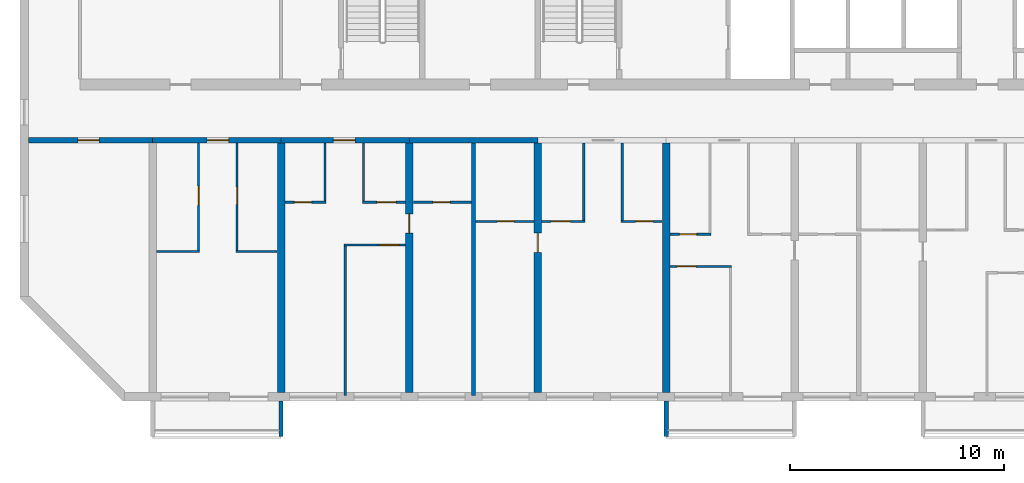
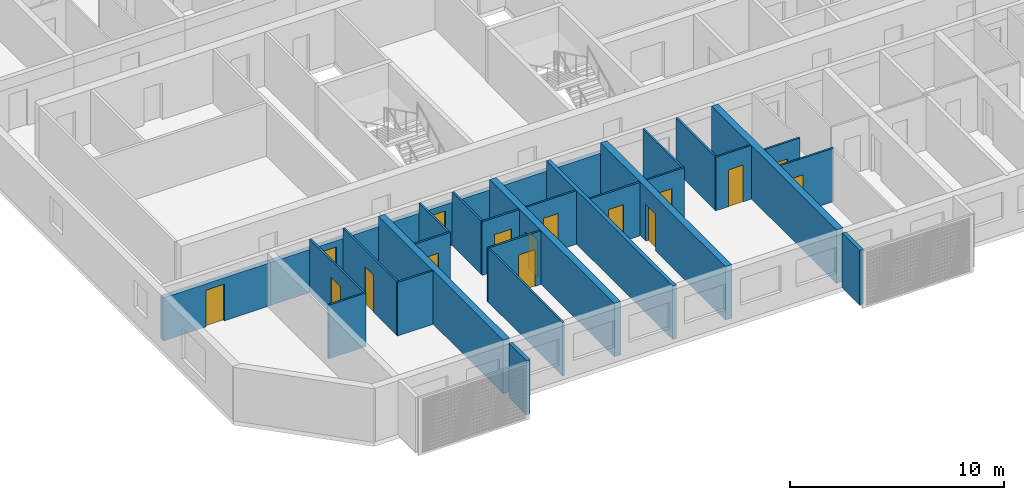
# One storey, part 2 of 26: 29 walls, 16 doors, 16 openings.
"""IFC4 building model written with IfcOpenShell, lengths in metres."""

from ifc_helpers import new_model, si_unit, direction, frame, frame_2d, origin, place, context, subcontext, project, spatial, polyline, rectangle, outline, extrude, source, transform, mapped, material, layer, layer_set, type_object, element, fill, save


model = new_model("IFC4")

# Units and contexts
model_context = context("Model", 3, precision=1e-05, world=origin(), true_north=direction((0.0, 1.0)))
body_context = subcontext(model_context, "Body", "Model", "MODEL_VIEW")
ifc_project = project(units=[si_unit("LENGTHUNIT", "METRE"), si_unit("AREAUNIT", "SQUARE_METRE"), si_unit("VOLUMEUNIT", "CUBIC_METRE"), si_unit("PLANEANGLEUNIT", "RADIAN"), si_unit("MASSUNIT", "GRAM", prefix="KILO")], contexts=[model_context])

# Site, building, storey
site_placement = place(None, origin())
site = spatial("IfcSite", under=ifc_project, at=site_placement, CompositionType="ELEMENT")
building_placement = place(site_placement, origin())
building = spatial("IfcBuilding", under=site, at=building_placement, Name="Poui Terraces", CompositionType="ELEMENT")
storey_placement = place(building_placement, frame((0.0, 0.0, 96.0)))
storey = spatial("IfcBuildingStorey", under=building, at=storey_placement, Name="L26", CompositionType="ELEMENT", Elevation=96.0)

# Wall, opening, door
ifc_material_1 = material(Name="Concrete 65 MPa", Category="concrete")
ifc_layer_1 = layer(ifc_material_1, 0.25)
ifc_layer_set_1 = layer_set([ifc_layer_1], Name="Concrete 65 MPa")
wall_type_1 = type_object("IfcWallType", Name="CORRIDOR WALL 250 65MPa", PredefinedType="SHEAR", material=ifc_layer_set_1)
wall_1_placement = place(storey_placement, frame((6.199951171875, 12.0, 0.0), z_axis=(0.0, 0.0, 1.0), x_axis=(1.0, 0.0, 0.0)))
wall_1 = element("IfcWall", 1, at=wall_1_placement, inside=storey, type_object=wall_type_1, Name="CORRIDOR WALL LINE B BAY 1", PredefinedType="SHEAR", context=body_context, shape_type="SweptSolid", body=[
    extrude(rectangle(XDim=5.800048828125, YDim=0.25, at=frame_2d((2.89990234375, 0.0))), origin(), (0.0, 0.0, 1.0), 2.4599609375),
])
opening_1_placement = place(wall_1_placement, frame((2.300048828125, 0.0, 0.0)))
opening_1 = element("IfcOpeningElement", 2, at=opening_1_placement, cuts=wall_1, Name="Opening D100", PredefinedType="OPENING", context=body_context, shape_type="SweptSolid", body=[
    extrude(rectangle(XDim=1.0, YDim=2.10009765625, at=frame_2d((0.5, 1.050048828125))), frame((0.0, 0.135009765625, 0.0), z_axis=(0.0, -1.0, 0.0), x_axis=(1.0, 0.0, 0.0)), (0.0, 0.0, 1.0), 0.27001953125),
])
ifc_material_2 = material(Name="Solid core timber door", Category="wood")
door_type_1 = type_object("IfcDoorType", Name="ACCESSIBLE INTERNAL DOOR 1000 X 2100", OperationType="NOTDEFINED", PredefinedType="DOOR", material=ifc_material_2)
door_1_placement = place(opening_1_placement, frame((1.0, 0.0, 0.0), z_axis=(0.0, 0.0, 1.0), x_axis=(-1.0, 0.0, 0.0)))
door_1 = element("IfcDoor", 3, at=door_1_placement, inside=storey, type_object=door_type_1, Name="ACCESSIBLE INTERNAL DOOR 083", OperationType="SINGLE_SWING_RIGHT", OverallHeight=2.10009765625, OverallWidth=1.0, PredefinedType="DOOR", context=body_context, shape_type="SweptSolid", body=[
    extrude(rectangle(XDim=1.0, YDim=2.10009765625, at=frame_2d((0.5, 1.050048828125))), frame((0.0, 0.02490234375, 0.0), z_axis=(0.0, -1.0, 0.0), x_axis=(1.0, 0.0, 0.0)), (0.0, 0.0, 1.0), 0.050048828125),
])
fill(opening_1, door_1)

wall_2_placement = place(storey_placement, frame((12.0, 12.0, 0.0), z_axis=(0.0, 0.0, 1.0), x_axis=(1.0, 0.0, 0.0)))
wall_2 = element("IfcWall", 4, at=wall_2_placement, inside=storey, type_object=wall_type_1, Name="CORRIDOR WALL LINE B BAY 2", PredefinedType="SHEAR", context=body_context, shape_type="SweptSolid", body=[
    extrude(rectangle(XDim=6.0, YDim=0.25, at=frame_2d((3.0, 0.0))), origin(), (0.0, 0.0, 1.0), 2.4599609375),
])
opening_2_placement = place(wall_2_placement, frame((2.550048828125, 0.0, 0.0)))
opening_2 = element("IfcOpeningElement", 5, at=opening_2_placement, cuts=wall_2, Name="Opening FD30S", PredefinedType="OPENING", context=body_context, shape_type="SweptSolid", body=[
    extrude(rectangle(XDim=1.0, YDim=2.10009765625, at=frame_2d((0.5, 1.050048828125))), frame((0.0, 0.135009765625, 0.0), z_axis=(0.0, -1.0, 0.0), x_axis=(1.0, 0.0, 0.0)), (0.0, 0.0, 1.0), 0.27001953125),
])
ifc_material_3 = material(Name="Steel fire door", Category="steel")
door_type_2 = type_object("IfcDoorType", Name="FLAT ENTRANCE DOOR 1000 X 2100", OperationType="NOTDEFINED", PredefinedType="DOOR", material=ifc_material_3)
door_2_placement = place(opening_2_placement, frame((1.0, 0.0, 0.0), z_axis=(0.0, 0.0, 1.0), x_axis=(-1.0, 0.0, 0.0)))
door_2 = element("IfcDoor", 6, at=door_2_placement, inside=storey, type_object=door_type_2, Name="FLAT ENTRANCE DOOR 085", OperationType="SINGLE_SWING_LEFT", OverallHeight=2.10009765625, OverallWidth=1.0, PredefinedType="DOOR", context=body_context, shape_type="SweptSolid", body=[
    extrude(rectangle(XDim=1.0, YDim=2.10009765625, at=frame_2d((0.5, 1.050048828125))), frame((0.0, 0.02490234375, 0.0), z_axis=(0.0, -1.0, 0.0), x_axis=(1.0, 0.0, 0.0)), (0.0, 0.0, 1.0), 0.050048828125),
])
fill(opening_2, door_2)

wall_3_placement = place(storey_placement, frame((18.0, 12.0, 0.0), z_axis=(0.0, 0.0, 1.0), x_axis=(1.0, 0.0, 0.0)))
wall_3 = element("IfcWall", 7, at=wall_3_placement, inside=storey, type_object=wall_type_1, Name="CORRIDOR WALL LINE B BAY 3", PredefinedType="SHEAR", context=body_context, shape_type="SweptSolid", body=[
    extrude(rectangle(XDim=6.0, YDim=0.25, at=frame_2d((3.0, 0.0))), origin(), (0.0, 0.0, 1.0), 2.4599609375),
])
opening_3_placement = place(wall_3_placement, frame((2.449951171875, 0.0, 0.0)))
opening_3 = element("IfcOpeningElement", 8, at=opening_3_placement, cuts=wall_3, Name="Opening FD30S", PredefinedType="OPENING", context=body_context, shape_type="SweptSolid", body=[
    extrude(rectangle(XDim=1.0, YDim=2.10009765625, at=frame_2d((0.5, 1.050048828125))), frame((0.0, 0.135009765625, 0.0), z_axis=(0.0, -1.0, 0.0), x_axis=(1.0, 0.0, 0.0)), (0.0, 0.0, 1.0), 0.27001953125),
])
door_3_placement = place(opening_3_placement, frame((1.0, 0.0, 0.0), z_axis=(0.0, 0.0, 1.0), x_axis=(-1.0, 0.0, 0.0)))
door_3 = element("IfcDoor", 9, at=door_3_placement, inside=storey, type_object=door_type_2, Name="FLAT ENTRANCE DOOR 089", OperationType="SINGLE_SWING_RIGHT", OverallHeight=2.10009765625, OverallWidth=1.0, PredefinedType="DOOR", context=body_context, shape_type="SweptSolid", body=[
    extrude(rectangle(XDim=1.0, YDim=2.10009765625, at=frame_2d((0.5, 1.050048828125))), frame((0.0, 0.02490234375, 0.0), z_axis=(0.0, -1.0, 0.0), x_axis=(1.0, 0.0, 0.0)), (0.0, 0.0, 1.0), 0.050048828125),
])
fill(opening_3, door_3)

# Walls
wall_4_placement = place(storey_placement, frame((24.0, 12.0, 0.0), z_axis=(0.0, 0.0, 1.0), x_axis=(1.0, 0.0, 0.0)))
element("IfcWall", 10, at=wall_4_placement, inside=storey, type_object=wall_type_1, Name="CORRIDOR WALL LINE B BAY 4", PredefinedType="SHEAR", context=body_context, shape_type="SweptSolid", body=[
    extrude(rectangle(XDim=6.0, YDim=0.25, at=frame_2d((3.0, 0.0))), origin(), (0.0, 0.0, 1.0), 2.4599609375),
])
ifc_layer_2 = layer(ifc_material_1, 0.35009765625)
ifc_layer_set_2 = layer_set([ifc_layer_2], Name="Concrete 65 MPa")
wall_type_2 = type_object("IfcWallType", Name="CROSS WALL 350 65MPa", PredefinedType="SHEAR", material=ifc_layer_set_2)
wall_5_placement = place(storey_placement, frame((18.0, 0.199951171875, 0.0), z_axis=(0.0, 0.0, 1.0), x_axis=(0.0, 1.0, 0.0)))
element("IfcWall", 11, at=wall_5_placement, inside=storey, type_object=wall_type_2, Name="CROSS WALL LINE 4 SOUTH", PredefinedType="SHEAR", context=body_context, shape_type="SweptSolid", body=[
    extrude(rectangle(XDim=11.675048828125, YDim=0.35009765625, at=frame_2d((5.83740234375, 0.0))), origin(), (0.0, 0.0, 1.0), 3.06005859375),
])

# Wall, opening, door
wall_6_placement = place(storey_placement, frame((24.0, 0.199951171875, 0.0), z_axis=(0.0, 0.0, 1.0), x_axis=(0.0, 1.0, 0.0)))
wall_6 = element("IfcWall", 12, at=wall_6_placement, inside=storey, type_object=wall_type_2, Name="CROSS WALL LINE 5 SOUTH", PredefinedType="SHEAR", context=body_context, shape_type="SweptSolid", body=[
    extrude(rectangle(XDim=11.675048828125, YDim=0.35009765625, at=frame_2d((5.83740234375, 0.0))), origin(), (0.0, 0.0, 1.0), 3.06005859375),
])
opening_4_placement = place(wall_6_placement, frame((7.449951171875, 0.0, 0.0)))
opening_4 = element("IfcOpeningElement", 13, at=opening_4_placement, cuts=wall_6, Name="Opening D90", PredefinedType="OPENING", context=body_context, shape_type="SweptSolid", body=[
    extrude(rectangle(XDim=0.89990234375, YDim=2.10009765625, at=frame_2d((0.449951171875, 1.050048828125))), frame((0.0, 0.18505859375, 0.0), z_axis=(0.0, -1.0, 0.0), x_axis=(1.0, 0.0, 0.0)), (0.0, 0.0, 1.0), 0.3701171875),
])
door_type_3 = type_object("IfcDoorType", Name="INTERNAL DOOR 900 X 2100", OperationType="NOTDEFINED", PredefinedType="DOOR", material=ifc_material_2)
door_4_placement = place(opening_4_placement, frame((0.89990234375, 0.0, 0.0), z_axis=(0.0, 0.0, 1.0), x_axis=(-1.0, 0.0, 0.0)))
door_4 = element("IfcDoor", 14, at=door_4_placement, inside=storey, type_object=door_type_3, Name="INTERNAL DOOR 092", OperationType="SINGLE_SWING_LEFT", OverallHeight=2.10009765625, OverallWidth=0.89990234375, PredefinedType="DOOR", context=body_context, shape_type="SweptSolid", body=[
    extrude(rectangle(XDim=0.89990234375, YDim=2.10009765625, at=frame_2d((0.449951171875, 1.050048828125))), frame((0.0, 0.02490234375, 0.0), z_axis=(0.0, -1.0, 0.0), x_axis=(1.0, 0.0, 0.0)), (0.0, 0.0, 1.0), 0.050048828125),
])
fill(opening_4, door_4)

wall_7_placement = place(storey_placement, frame((30.0, 0.199951171875, 0.0), z_axis=(0.0, 0.0, 1.0), x_axis=(0.0, 1.0, 0.0)))
wall_7 = element("IfcWall", 15, at=wall_7_placement, inside=storey, type_object=wall_type_2, Name="CROSS WALL LINE 6 SOUTH", PredefinedType="SHEAR", context=body_context, shape_type="SweptSolid", body=[
    extrude(rectangle(XDim=11.675048828125, YDim=0.35009765625, at=frame_2d((5.83740234375, 0.0))), origin(), (0.0, 0.0, 1.0), 3.06005859375),
])
opening_5_placement = place(wall_7_placement, frame((6.550048828125, 0.0, 0.0)))
opening_5 = element("IfcOpeningElement", 16, at=opening_5_placement, cuts=wall_7, Name="Opening D90", PredefinedType="OPENING", context=body_context, shape_type="SweptSolid", body=[
    extrude(rectangle(XDim=0.89990234375, YDim=2.10009765625, at=frame_2d((0.449951171875, 1.050048828125))), frame((0.0, 0.18505859375, 0.0), z_axis=(0.0, -1.0, 0.0), x_axis=(1.0, 0.0, 0.0)), (0.0, 0.0, 1.0), 0.3701171875),
])
door_5_placement = place(opening_5_placement, origin())
door_5 = element("IfcDoor", 17, at=door_5_placement, inside=storey, type_object=door_type_3, Name="INTERNAL DOOR 094", OperationType="SINGLE_SWING_RIGHT", OverallHeight=2.10009765625, OverallWidth=0.89990234375, PredefinedType="DOOR", context=body_context, shape_type="SweptSolid", body=[
    extrude(rectangle(XDim=0.89990234375, YDim=2.10009765625, at=frame_2d((0.449951171875, 1.050048828125))), frame((0.0, 0.02490234375, 0.0), z_axis=(0.0, -1.0, 0.0), x_axis=(1.0, 0.0, 0.0)), (0.0, 0.0, 1.0), 0.050048828125),
])
fill(opening_5, door_5)

# Wall
wall_8_placement = place(storey_placement, frame((36.0, 0.199951171875, 0.0), z_axis=(0.0, 0.0, 1.0), x_axis=(0.0, 1.0, 0.0)))
element("IfcWall", 18, at=wall_8_placement, inside=storey, type_object=wall_type_2, Name="CROSS WALL LINE 7 SOUTH", PredefinedType="SHEAR", context=body_context, shape_type="SweptSolid", body=[
    extrude(rectangle(XDim=11.675048828125, YDim=0.35009765625, at=frame_2d((5.83740234375, 0.0))), origin(), (0.0, 0.0, 1.0), 3.06005859375),
])

# Wall, opening, door
ifc_material_4 = material(Name="Plasterboard partition")
ifc_layer_3 = layer(ifc_material_4, 0.10009765625)
ifc_layer_set_3 = layer_set([ifc_layer_3], Name="Plasterboard partition")
wall_type_3 = type_object("IfcWallType", Name="FLAT PARTITION 100", PredefinedType="PARTITIONING", material=ifc_layer_set_3)
wall_9_placement = place(storey_placement, frame((36.18505859375, 6.10009765625, 0.0), z_axis=(0.0, 0.0, 1.0), x_axis=(1.0, 0.0, 0.0)))
wall_9 = element("IfcWall", 19, at=wall_9_placement, inside=storey, type_object=wall_type_3, Name="FLAT PARTITION 100", PredefinedType="PARTITIONING", context=body_context, shape_type="SweptSolid", body=[
    extrude(rectangle(XDim=2.864990234375, YDim=0.10009765625, at=frame_2d((1.4326171875, 0.0))), origin(), (0.0, 0.0, 1.0), 3.06005859375),
])
opening_6_placement = place(wall_9_placement, frame((0.31494140625, 0.0, 0.0)))
opening_6 = element("IfcOpeningElement", 20, at=opening_6_placement, cuts=wall_9, Name="Opening D90", PredefinedType="OPENING", context=body_context, shape_type="SweptSolid", body=[
    extrude(rectangle(XDim=0.89990234375, YDim=2.10009765625, at=frame_2d((0.449951171875, 1.050048828125))), frame((0.0, 0.06005859375, 0.0), z_axis=(0.0, -1.0, 0.0), x_axis=(1.0, 0.0, 0.0)), (0.0, 0.0, 1.0), 0.1201171875),
])
door_6_placement = place(opening_6_placement, origin())
door_6 = element("IfcDoor", 21, at=door_6_placement, inside=storey, type_object=door_type_3, Name="INTERNAL DOOR 099", OperationType="SINGLE_SWING_RIGHT", OverallHeight=2.10009765625, OverallWidth=0.89990234375, PredefinedType="DOOR", context=body_context, shape_type="SweptSolid", body=[
    extrude(rectangle(XDim=0.89990234375, YDim=2.10009765625, at=frame_2d((0.449951171875, 1.050048828125))), frame((0.0, 0.02490234375, 0.0), z_axis=(0.0, -1.0, 0.0), x_axis=(1.0, 0.0, 0.0)), (0.0, 0.0, 1.0), 0.050048828125),
])
fill(opening_6, door_6)

# Walls
wall_10_placement = place(storey_placement, frame((12.18505859375, 6.800048828125, 0.0), z_axis=(0.0, 0.0, 1.0), x_axis=(1.0, 0.0, 0.0)))
element("IfcWall", 22, at=wall_10_placement, inside=storey, type_object=wall_type_3, Name="FLAT PARTITION 100", PredefinedType="PARTITIONING", context=body_context, shape_type="SweptSolid", body=[
    extrude(rectangle(XDim=2.014892578125, YDim=0.10009765625, at=frame_2d((1.00732421875, 0.0))), origin(), (0.0, 0.0, 1.0), 3.06005859375),
])
wall_11_placement = place(storey_placement, frame((15.89990234375, 6.800048828125, 0.0), z_axis=(0.0, 0.0, 1.0), x_axis=(1.0, 0.0, 0.0)))
element("IfcWall", 23, at=wall_11_placement, inside=storey, type_object=wall_type_3, Name="FLAT PARTITION 100", PredefinedType="PARTITIONING", context=body_context, shape_type="SweptSolid", body=[
    extrude(rectangle(XDim=1.9150390625, YDim=0.10009765625, at=frame_2d((0.95751953125, 0.0))), origin(), (0.0, 0.0, 1.0), 3.06005859375),
])

# Wall, opening, door
wall_12_placement = place(storey_placement, frame((20.949951171875, 7.10009765625, 0.0), z_axis=(0.0, 0.0, 1.0), x_axis=(1.0, 0.0, 0.0)))
wall_12 = element("IfcWall", 24, at=wall_12_placement, inside=storey, type_object=wall_type_3, Name="FLAT PARTITION 100", PredefinedType="PARTITIONING", context=body_context, shape_type="SweptSolid", body=[
    extrude(rectangle(XDim=2.864990234375, YDim=0.10009765625, at=frame_2d((1.4326171875, 0.0))), origin(), (0.0, 0.0, 1.0), 3.06005859375),
])
opening_7_placement = place(wall_12_placement, frame((1.64990234375, 0.0, 0.0)))
opening_7 = element("IfcOpeningElement", 25, at=opening_7_placement, cuts=wall_12, Name="Opening D90", PredefinedType="OPENING", context=body_context, shape_type="SweptSolid", body=[
    extrude(rectangle(XDim=0.89990234375, YDim=2.10009765625, at=frame_2d((0.449951171875, 1.050048828125))), frame((0.0, 0.06005859375, 0.0), z_axis=(0.0, -1.0, 0.0), x_axis=(1.0, 0.0, 0.0)), (0.0, 0.0, 1.0), 0.1201171875),
])
door_7_placement = place(opening_7_placement, origin())
door_7 = element("IfcDoor", 26, at=door_7_placement, inside=storey, type_object=door_type_3, Name="INTERNAL DOOR 091", OperationType="SINGLE_SWING_LEFT", OverallHeight=2.10009765625, OverallWidth=0.89990234375, PredefinedType="DOOR", context=body_context, shape_type="SweptSolid", body=[
    extrude(rectangle(XDim=0.89990234375, YDim=2.10009765625, at=frame_2d((0.449951171875, 1.050048828125))), frame((0.0, 0.02490234375, 0.0), z_axis=(0.0, -1.0, 0.0), x_axis=(1.0, 0.0, 0.0)), (0.0, 0.0, 1.0), 0.050048828125),
])
fill(opening_7, door_7)

wall_13_placement = place(storey_placement, frame((36.18505859375, 7.60009765625, 0.0), z_axis=(0.0, 0.0, 1.0), x_axis=(1.0, 0.0, 0.0)))
wall_13 = element("IfcWall", 27, at=wall_13_placement, inside=storey, type_object=wall_type_3, Name="FLAT PARTITION 100", PredefinedType="PARTITIONING", context=body_context, shape_type="SweptSolid", body=[
    extrude(rectangle(XDim=1.9150390625, YDim=0.10009765625, at=frame_2d((0.95751953125, 0.0))), origin(), (0.0, 0.0, 1.0), 3.06005859375),
])
opening_8_placement = place(wall_13_placement, frame((0.43994140625, 0.0, 0.0)))
opening_8 = element("IfcOpeningElement", 28, at=opening_8_placement, cuts=wall_13, Name="Opening D80", PredefinedType="OPENING", context=body_context, shape_type="SweptSolid", body=[
    extrude(rectangle(XDim=0.800048828125, YDim=2.10009765625, at=frame_2d((0.39990234375, 1.050048828125))), frame((0.0, 0.06005859375, 0.0), z_axis=(0.0, -1.0, 0.0), x_axis=(1.0, 0.0, 0.0)), (0.0, 0.0, 1.0), 0.1201171875),
])
door_type_4 = type_object("IfcDoorType", Name="BATHROOM, LAUNDRY AND STORE DOOR 800 X 2100", OperationType="NOTDEFINED", PredefinedType="DOOR", material=ifc_material_2)
door_8_placement = place(opening_8_placement, origin())
door_8 = element("IfcDoor", 29, at=door_8_placement, inside=storey, type_object=door_type_4, Name="BATHROOM, LAUNDRY AND STORE DOOR 100", OperationType="SINGLE_SWING_LEFT", OverallHeight=2.10009765625, OverallWidth=0.800048828125, PredefinedType="DOOR", context=body_context, shape_type="SweptSolid", body=[
    extrude(rectangle(XDim=0.800048828125, YDim=2.10009765625, at=frame_2d((0.39990234375, 1.050048828125))), frame((0.0, 0.02490234375, 0.0), z_axis=(0.0, -1.0, 0.0), x_axis=(1.0, 0.0, 0.0)), (0.0, 0.0, 1.0), 0.050048828125),
])
fill(opening_8, door_8)

wall_14_placement = place(storey_placement, frame((27.10009765625, 8.199951171875, 0.0), z_axis=(0.0, 0.0, 1.0), x_axis=(1.0, 0.0, 0.0)))
wall_14 = element("IfcWall", 30, at=wall_14_placement, inside=storey, type_object=wall_type_3, Name="FLAT PARTITION 100", PredefinedType="PARTITIONING", context=body_context, shape_type="SweptSolid", body=[
    extrude(rectangle(XDim=2.71484375, YDim=0.10009765625, at=frame_2d((1.357421875, 0.0))), origin(), (0.0, 0.0, 1.0), 3.06005859375),
])
opening_9_placement = place(wall_14_placement, frame((1.0, 0.0, 0.0)))
opening_9 = element("IfcOpeningElement", 31, at=opening_9_placement, cuts=wall_14, Name="Opening D80", PredefinedType="OPENING", context=body_context, shape_type="SweptSolid", body=[
    extrude(rectangle(XDim=0.800048828125, YDim=2.10009765625, at=frame_2d((0.39990234375, 1.050048828125))), frame((0.0, 0.06005859375, 0.0), z_axis=(0.0, -1.0, 0.0), x_axis=(1.0, 0.0, 0.0)), (0.0, 0.0, 1.0), 0.1201171875),
])
door_9_placement = place(opening_9_placement, origin())
door_9 = element("IfcDoor", 32, at=door_9_placement, inside=storey, type_object=door_type_4, Name="BATHROOM, LAUNDRY AND STORE DOOR 093", OperationType="SINGLE_SWING_RIGHT", OverallHeight=2.10009765625, OverallWidth=0.800048828125, PredefinedType="DOOR", context=body_context, shape_type="SweptSolid", body=[
    extrude(rectangle(XDim=0.800048828125, YDim=2.10009765625, at=frame_2d((0.39990234375, 1.050048828125))), frame((0.0, 0.02490234375, 0.0), z_axis=(0.0, -1.0, 0.0), x_axis=(1.0, 0.0, 0.0)), (0.0, 0.0, 1.0), 0.050048828125),
])
fill(opening_9, door_9)

wall_15_placement = place(storey_placement, frame((30.18505859375, 8.199951171875, 0.0), z_axis=(0.0, 0.0, 1.0), x_axis=(1.0, 0.0, 0.0)))
wall_15 = element("IfcWall", 33, at=wall_15_placement, inside=storey, type_object=wall_type_3, Name="FLAT PARTITION 100", PredefinedType="PARTITIONING", context=body_context, shape_type="SweptSolid", body=[
    extrude(rectangle(XDim=2.014892578125, YDim=0.10009765625, at=frame_2d((1.00732421875, 0.0))), origin(), (0.0, 0.0, 1.0), 3.06005859375),
])
opening_10_placement = place(wall_15_placement, frame((0.43994140625, 0.0, 0.0)))
opening_10 = element("IfcOpeningElement", 34, at=opening_10_placement, cuts=wall_15, Name="Opening D90", PredefinedType="OPENING", context=body_context, shape_type="SweptSolid", body=[
    extrude(rectangle(XDim=0.89990234375, YDim=2.10009765625, at=frame_2d((0.449951171875, 1.050048828125))), frame((0.0, 0.06005859375, 0.0), z_axis=(0.0, -1.0, 0.0), x_axis=(1.0, 0.0, 0.0)), (0.0, 0.0, 1.0), 0.1201171875),
])
door_10_placement = place(opening_10_placement, origin())
door_10 = element("IfcDoor", 35, at=door_10_placement, inside=storey, type_object=door_type_3, Name="INTERNAL DOOR 095", OperationType="SINGLE_SWING_LEFT", OverallHeight=2.10009765625, OverallWidth=0.89990234375, PredefinedType="DOOR", context=body_context, shape_type="SweptSolid", body=[
    extrude(rectangle(XDim=0.89990234375, YDim=2.10009765625, at=frame_2d((0.449951171875, 1.050048828125))), frame((0.0, 0.02490234375, 0.0), z_axis=(0.0, -1.0, 0.0), x_axis=(1.0, 0.0, 0.0)), (0.0, 0.0, 1.0), 0.050048828125),
])
fill(opening_10, door_10)

wall_16_placement = place(storey_placement, frame((33.89990234375, 8.199951171875, 0.0), z_axis=(0.0, 0.0, 1.0), x_axis=(1.0, 0.0, 0.0)))
wall_16 = element("IfcWall", 36, at=wall_16_placement, inside=storey, type_object=wall_type_3, Name="FLAT PARTITION 100", PredefinedType="PARTITIONING", context=body_context, shape_type="SweptSolid", body=[
    extrude(rectangle(XDim=1.9150390625, YDim=0.10009765625, at=frame_2d((0.95751953125, 0.0))), origin(), (0.0, 0.0, 1.0), 3.06005859375),
])
opening_11_placement = place(wall_16_placement, frame((0.675048828125, 0.0, 0.0)))
opening_11 = element("IfcOpeningElement", 37, at=opening_11_placement, cuts=wall_16, Name="Opening D80", PredefinedType="OPENING", context=body_context, shape_type="SweptSolid", body=[
    extrude(rectangle(XDim=0.800048828125, YDim=2.10009765625, at=frame_2d((0.39990234375, 1.050048828125))), frame((0.0, 0.06005859375, 0.0), z_axis=(0.0, -1.0, 0.0), x_axis=(1.0, 0.0, 0.0)), (0.0, 0.0, 1.0), 0.1201171875),
])
door_11_placement = place(opening_11_placement, origin())
door_11 = element("IfcDoor", 38, at=door_11_placement, inside=storey, type_object=door_type_4, Name="BATHROOM, LAUNDRY AND STORE DOOR 097", OperationType="SINGLE_SWING_RIGHT", OverallHeight=2.10009765625, OverallWidth=0.800048828125, PredefinedType="DOOR", context=body_context, shape_type="SweptSolid", body=[
    extrude(rectangle(XDim=0.800048828125, YDim=2.10009765625, at=frame_2d((0.39990234375, 1.050048828125))), frame((0.0, 0.02490234375, 0.0), z_axis=(0.0, -1.0, 0.0), x_axis=(1.0, 0.0, 0.0)), (0.0, 0.0, 1.0), 0.050048828125),
])
fill(opening_11, door_11)

wall_17_placement = place(storey_placement, frame((18.18505859375, 9.10009765625, 0.0), z_axis=(0.0, 0.0, 1.0), x_axis=(1.0, 0.0, 0.0)))
wall_17 = element("IfcWall", 39, at=wall_17_placement, inside=storey, type_object=wall_type_3, Name="FLAT PARTITION 100", PredefinedType="PARTITIONING", context=body_context, shape_type="SweptSolid", body=[
    extrude(rectangle(XDim=1.9150390625, YDim=0.10009765625, at=frame_2d((0.95751953125, 0.0))), origin(), (0.0, 0.0, 1.0), 3.06005859375),
])
opening_12_placement = place(wall_17_placement, frame((0.43994140625, 0.0, 0.0)))
opening_12 = element("IfcOpeningElement", 40, at=opening_12_placement, cuts=wall_17, Name="Opening D80", PredefinedType="OPENING", context=body_context, shape_type="SweptSolid", body=[
    extrude(rectangle(XDim=0.800048828125, YDim=2.10009765625, at=frame_2d((0.39990234375, 1.050048828125))), frame((0.0, 0.06005859375, 0.0), z_axis=(0.0, -1.0, 0.0), x_axis=(1.0, 0.0, 0.0)), (0.0, 0.0, 1.0), 0.1201171875),
])
door_12_placement = place(opening_12_placement, origin())
door_12 = element("IfcDoor", 41, at=door_12_placement, inside=storey, type_object=door_type_4, Name="BATHROOM, LAUNDRY AND STORE DOOR 088", OperationType="SINGLE_SWING_LEFT", OverallHeight=2.10009765625, OverallWidth=0.800048828125, PredefinedType="DOOR", context=body_context, shape_type="SweptSolid", body=[
    extrude(rectangle(XDim=0.800048828125, YDim=2.10009765625, at=frame_2d((0.39990234375, 1.050048828125))), frame((0.0, 0.02490234375, 0.0), z_axis=(0.0, -1.0, 0.0), x_axis=(1.0, 0.0, 0.0)), (0.0, 0.0, 1.0), 0.050048828125),
])
fill(opening_12, door_12)

wall_18_placement = place(storey_placement, frame((21.800048828125, 9.10009765625, 0.0), z_axis=(0.0, 0.0, 1.0), x_axis=(1.0, 0.0, 0.0)))
wall_18 = element("IfcWall", 42, at=wall_18_placement, inside=storey, type_object=wall_type_3, Name="FLAT PARTITION 100", PredefinedType="PARTITIONING", context=body_context, shape_type="SweptSolid", body=[
    extrude(rectangle(XDim=2.014892578125, YDim=0.10009765625, at=frame_2d((1.00732421875, 0.0))), origin(), (0.0, 0.0, 1.0), 3.06005859375),
])
opening_13_placement = place(wall_18_placement, frame((0.675048828125, 0.0, 0.0)))
opening_13 = element("IfcOpeningElement", 43, at=opening_13_placement, cuts=wall_18, Name="Opening D90", PredefinedType="OPENING", context=body_context, shape_type="SweptSolid", body=[
    extrude(rectangle(XDim=0.89990234375, YDim=2.10009765625, at=frame_2d((0.449951171875, 1.050048828125))), frame((0.0, 0.06005859375, 0.0), z_axis=(0.0, -1.0, 0.0), x_axis=(1.0, 0.0, 0.0)), (0.0, 0.0, 1.0), 0.1201171875),
])
door_13_placement = place(opening_13_placement, origin())
door_13 = element("IfcDoor", 44, at=door_13_placement, inside=storey, type_object=door_type_3, Name="INTERNAL DOOR 090", OperationType="SINGLE_SWING_RIGHT", OverallHeight=2.10009765625, OverallWidth=0.89990234375, PredefinedType="DOOR", context=body_context, shape_type="SweptSolid", body=[
    extrude(rectangle(XDim=0.89990234375, YDim=2.10009765625, at=frame_2d((0.449951171875, 1.050048828125))), frame((0.0, 0.02490234375, 0.0), z_axis=(0.0, -1.0, 0.0), x_axis=(1.0, 0.0, 0.0)), (0.0, 0.0, 1.0), 0.050048828125),
])
fill(opening_13, door_13)

wall_19_placement = place(storey_placement, frame((24.18505859375, 9.10009765625, 0.0), z_axis=(0.0, 0.0, 1.0), x_axis=(1.0, 0.0, 0.0)))
wall_19 = element("IfcWall", 45, at=wall_19_placement, inside=storey, type_object=wall_type_3, Name="FLAT PARTITION 100", PredefinedType="PARTITIONING", context=body_context, shape_type="SweptSolid", body=[
    extrude(rectangle(XDim=2.71484375, YDim=0.10009765625, at=frame_2d((1.357421875, 0.0))), origin(), (0.0, 0.0, 1.0), 3.06005859375),
])
opening_14_placement = place(wall_19_placement, frame((0.9150390625, 0.0, 0.0)))
opening_14 = element("IfcOpeningElement", 46, at=opening_14_placement, cuts=wall_19, Name="Opening D80", PredefinedType="OPENING", context=body_context, shape_type="SweptSolid", body=[
    extrude(rectangle(XDim=0.800048828125, YDim=2.10009765625, at=frame_2d((0.39990234375, 1.050048828125))), frame((0.0, 0.06005859375, 0.0), z_axis=(0.0, -1.0, 0.0), x_axis=(1.0, 0.0, 0.0)), (0.0, 0.0, 1.0), 0.1201171875),
])
door_14_placement = place(opening_14_placement, origin())
door_14 = element("IfcDoor", 47, at=door_14_placement, inside=storey, type_object=door_type_4, Name="BATHROOM, LAUNDRY AND STORE DOOR 087", OperationType="SINGLE_SWING_LEFT", OverallHeight=2.10009765625, OverallWidth=0.800048828125, PredefinedType="DOOR", context=body_context, shape_type="SweptSolid", body=[
    extrude(rectangle(XDim=0.800048828125, YDim=2.10009765625, at=frame_2d((0.39990234375, 1.050048828125))), frame((0.0, 0.02490234375, 0.0), z_axis=(0.0, -1.0, 0.0), x_axis=(1.0, 0.0, 0.0)), (0.0, 0.0, 1.0), 0.050048828125),
])
fill(opening_14, door_14)

wall_20_placement = place(storey_placement, frame((14.14990234375, 6.85009765625, 0.0), z_axis=(0.0, 0.0, 1.0), x_axis=(0.0, 1.0, 0.0)))
wall_20 = element("IfcWall", 48, at=wall_20_placement, inside=storey, type_object=wall_type_3, Name="FLAT PARTITION 100", PredefinedType="PARTITIONING", context=body_context, shape_type="SweptSolid", body=[
    extrude(rectangle(XDim=5.014892578125, YDim=0.10009765625, at=frame_2d((2.50732421875, 0.0))), origin(), (0.0, 0.0, 1.0), 3.06005859375),
])
opening_15_placement = place(wall_20_placement, frame((2.10009765625, 0.0, 0.0)))
opening_15 = element("IfcOpeningElement", 49, at=opening_15_placement, cuts=wall_20, Name="Opening D90", PredefinedType="OPENING", context=body_context, shape_type="SweptSolid", body=[
    extrude(rectangle(XDim=0.89990234375, YDim=2.10009765625, at=frame_2d((0.449951171875, 1.050048828125))), frame((0.0, 0.06005859375, 0.0), z_axis=(0.0, -1.0, 0.0), x_axis=(1.0, 0.0, 0.0)), (0.0, 0.0, 1.0), 0.1201171875),
])
door_15_placement = place(opening_15_placement, origin())
door_15 = element("IfcDoor", 50, at=door_15_placement, inside=storey, type_object=door_type_3, Name="INTERNAL DOOR 084", OperationType="SINGLE_SWING_LEFT", OverallHeight=2.10009765625, OverallWidth=0.89990234375, PredefinedType="DOOR", context=body_context, shape_type="SweptSolid", body=[
    extrude(rectangle(XDim=0.89990234375, YDim=2.10009765625, at=frame_2d((0.449951171875, 1.050048828125))), frame((0.0, 0.02490234375, 0.0), z_axis=(0.0, -1.0, 0.0), x_axis=(1.0, 0.0, 0.0)), (0.0, 0.0, 1.0), 0.050048828125),
])
fill(opening_15, door_15)

wall_21_placement = place(storey_placement, frame((15.949951171875, 6.85009765625, 0.0), z_axis=(0.0, 0.0, 1.0), x_axis=(0.0, 1.0, 0.0)))
wall_21 = element("IfcWall", 51, at=wall_21_placement, inside=storey, type_object=wall_type_3, Name="FLAT PARTITION 100", PredefinedType="PARTITIONING", context=body_context, shape_type="SweptSolid", body=[
    extrude(rectangle(XDim=5.014892578125, YDim=0.10009765625, at=frame_2d((2.50732421875, 0.0))), origin(), (0.0, 0.0, 1.0), 3.06005859375),
])
opening_16_placement = place(wall_21_placement, frame((2.14990234375, 0.0, 0.0)))
opening_16 = element("IfcOpeningElement", 52, at=opening_16_placement, cuts=wall_21, Name="Opening D80", PredefinedType="OPENING", context=body_context, shape_type="SweptSolid", body=[
    extrude(rectangle(XDim=0.800048828125, YDim=2.10009765625, at=frame_2d((0.39990234375, 1.050048828125))), frame((0.0, 0.06005859375, 0.0), z_axis=(0.0, -1.0, 0.0), x_axis=(1.0, 0.0, 0.0)), (0.0, 0.0, 1.0), 0.1201171875),
])
door_16_placement = place(opening_16_placement, frame((0.800048828125, 0.0, 0.0), z_axis=(0.0, 0.0, 1.0), x_axis=(-1.0, 0.0, 0.0)))
door_16 = element("IfcDoor", 53, at=door_16_placement, inside=storey, type_object=door_type_4, Name="BATHROOM, LAUNDRY AND STORE DOOR 086", OperationType="SINGLE_SWING_LEFT", OverallHeight=2.10009765625, OverallWidth=0.800048828125, PredefinedType="DOOR", context=body_context, shape_type="SweptSolid", body=[
    extrude(rectangle(XDim=0.800048828125, YDim=2.10009765625, at=frame_2d((0.39990234375, 1.050048828125))), frame((0.0, 0.02490234375, 0.0), z_axis=(0.0, -1.0, 0.0), x_axis=(1.0, 0.0, 0.0)), (0.0, 0.0, 1.0), 0.050048828125),
])
fill(opening_16, door_16)

# Walls
wall_22_placement = place(storey_placement, frame((20.050048828125, 9.14990234375, 0.0), z_axis=(0.0, 0.0, 1.0), x_axis=(0.0, 1.0, 0.0)))
element("IfcWall", 54, at=wall_22_placement, inside=storey, type_object=wall_type_3, Name="FLAT PARTITION 100", PredefinedType="PARTITIONING", context=body_context, shape_type="SweptSolid", body=[
    extrude(rectangle(XDim=2.715087890625, YDim=0.10009765625, at=frame_2d((1.357421875, 0.0))), origin(), (0.0, 0.0, 1.0), 3.06005859375),
])
wall_23_placement = place(storey_placement, frame((21.0, 0.06005859375, 0.0), z_axis=(0.0, 0.0, 1.0), x_axis=(0.0, 1.0, 0.0)))
element("IfcWall", 55, at=wall_23_placement, inside=storey, type_object=wall_type_3, Name="FLAT PARTITION 100", PredefinedType="PARTITIONING", context=body_context, shape_type="SweptSolid", body=[
    extrude(rectangle(XDim=6.989990234375, YDim=0.10009765625, at=frame_2d((3.4951171875, 0.0))), origin(), (0.0, 0.0, 1.0), 3.06005859375),
])
wall_24_placement = place(storey_placement, frame((21.85009765625, 9.14990234375, 0.0), z_axis=(0.0, 0.0, 1.0), x_axis=(0.0, 1.0, 0.0)))
element("IfcWall", 56, at=wall_24_placement, inside=storey, type_object=wall_type_3, Name="FLAT PARTITION 100", PredefinedType="PARTITIONING", context=body_context, shape_type="SweptSolid", body=[
    extrude(rectangle(XDim=2.715087890625, YDim=0.10009765625, at=frame_2d((1.357421875, 0.0))), origin(), (0.0, 0.0, 1.0), 3.06005859375),
])
for number, where, z_axis, x_axis, name in (
    (57, (32.14990234375, 8.25, 0.0), (0.0, 0.0, 1.0), (0.0, 1.0, 0.0), "FLAT PARTITION 100"),
    (58, (33.949951171875, 8.25, 0.0), (0.0, 0.0, 1.0), (0.0, 1.0, 0.0), "FLAT PARTITION 100"),
):
    element("IfcWall", number, at=place(storey_placement, frame(where, z_axis=z_axis, x_axis=x_axis)), inside=storey, type_object=wall_type_3, Name=name, PredefinedType="PARTITIONING", context=body_context, shape_type="SweptSolid", body=[
        extrude(rectangle(XDim=3.614990234375, YDim=0.10009765625, at=frame_2d((1.8076171875, 0.0))), origin(), (0.0, 0.0, 1.0), 3.06005859375),
    ])
ifc_material_5 = material(Name="Fire-rated masonry wall", Category="masonry")
ifc_layer_4 = layer(ifc_material_5, 0.199951171875)
ifc_layer_set_4 = layer_set([ifc_layer_4], Name="Fire-rated masonry wall")
wall_type_4 = type_object("IfcWallType", Name="FLAT PARTY WALL 200", PredefinedType="PARTITIONING", material=ifc_layer_set_4)
wall_25_placement = place(storey_placement, frame((27.0, 0.06005859375, 0.0), z_axis=(0.0, 0.0, 1.0), x_axis=(0.0, 1.0, 0.0)))
element("IfcWall", 59, at=wall_25_placement, inside=storey, type_object=wall_type_4, Name="FLAT PARTY WALL 200", PredefinedType="PARTITIONING", context=body_context, shape_type="SweptSolid", body=[
    extrude(rectangle(XDim=11.804931640625, YDim=0.199951171875, at=frame_2d((5.90234375, 0.0))), origin(), (0.0, 0.0, 1.0), 3.06005859375),
])
ifc_material_6 = material(Name="Precast concrete 40 MPa", Category="concrete")
ifc_layer_5 = layer(ifc_material_6, 0.199951171875)
ifc_layer_set_5 = layer_set([ifc_layer_5], Name="Precast concrete 40 MPa")
wall_type_5 = type_object("IfcWallType", Name="REAR FIN 200", PredefinedType="STANDARD", material=ifc_layer_set_5)
shared_shape = source(origin(), body_context, "Body", "SweptSolid", [
    extrude(outline(polyline([(0.0, 0.0), (0.2001953125, 0.0), (0.2001953125, 1.650146484375), (0.0, 1.650146484375), (0.0, 0.0)])), origin(), (0.0, 0.0, 1.0), 3.10009765625),
])
for number, where, name in (
    (60, (17.89990234375, -1.85009765625, 0.0), "REAR FIN"),
    (61, (35.89990234375, -1.85009765625, 0.0), "REAR FIN"),
):
    element("IfcWall", number, at=place(storey_placement, frame(where)), inside=storey, type_object=wall_type_5, Name=name, PredefinedType="STANDARD", context=body_context, shape_type="MappedRepresentation", body=[
        mapped(shared_shape, transform((0.0, 0.0, 0.0))),
    ])

save(model, "model.ifc")
